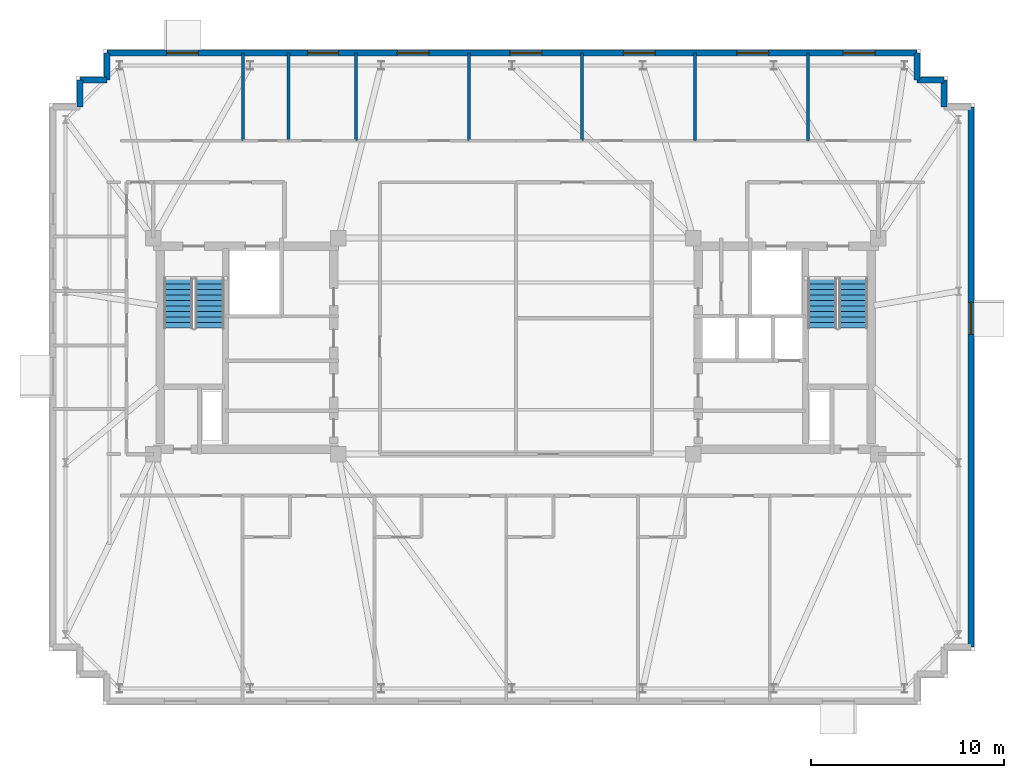
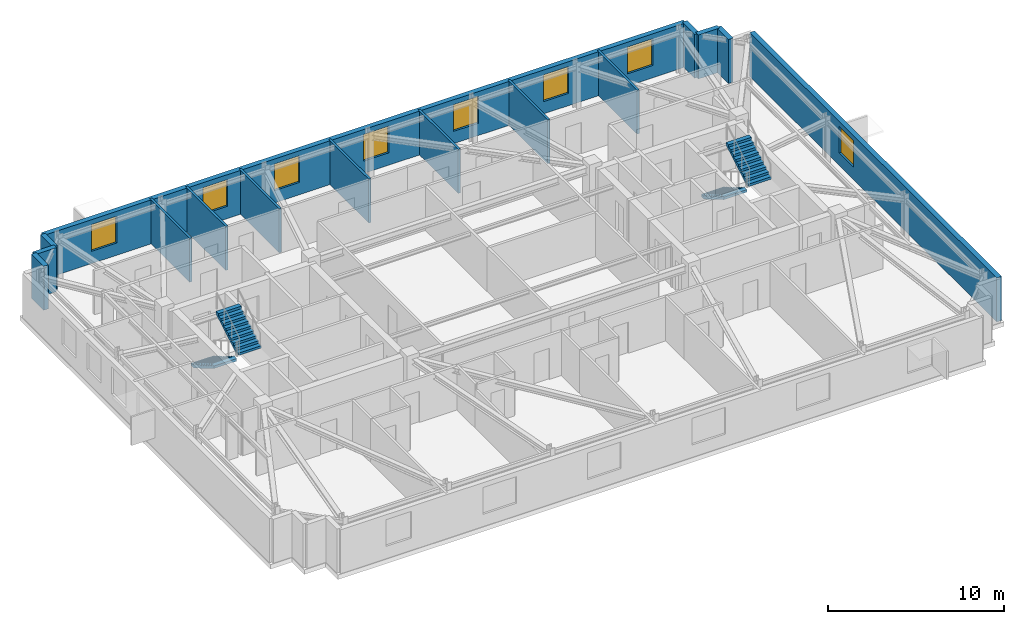
# One storey, part 9 of 11: 15 walls, 8 windows, 4 stair flights, 8 openings, 2 elements without a shape of their own.
"""IFC4 building model written with IfcOpenShell, lengths in metres."""

from ifc_helpers import new_model, si_unit, direction, frame, frame_2d, origin, place, context, subcontext, project, spatial, polyline, rectangle, outline, extrude, material, layer, layer_set, type_object, element, fill, aggregate, save


model = new_model("IFC4")

# Units and contexts
model_context = context("Model", 3, precision=1e-05, world=origin(), true_north=direction((0.0, 1.0)))
body_context = subcontext(model_context, "Body", "Model", "MODEL_VIEW")
ifc_project = project(units=[si_unit("LENGTHUNIT", "METRE"), si_unit("AREAUNIT", "SQUARE_METRE"), si_unit("VOLUMEUNIT", "CUBIC_METRE"), si_unit("PLANEANGLEUNIT", "RADIAN"), si_unit("MASSUNIT", "GRAM", prefix="KILO")], contexts=[model_context])

# Site, building, storey
site_placement = place(None, origin())
site = spatial("IfcSite", under=ifc_project, at=site_placement, CompositionType="ELEMENT")
building_placement = place(site_placement, origin())
building = spatial("IfcBuilding", under=site, at=building_placement, Name="Qobustan Lattice House", CompositionType="ELEMENT")
storey_placement = place(building_placement, frame((0.0, 0.0, 245.050048828125)))
storey = spatial("IfcBuildingStorey", under=building, at=storey_placement, Name="L69", CompositionType="ELEMENT", Elevation=245.050048828125)

# Walls
ifc_material_1 = material(Name="Precast concrete C40/50", Category="concrete")
ifc_layer_1 = layer(ifc_material_1, 0.320068359375)
ifc_layer_set_1 = layer_set([ifc_layer_1], Name="Precast concrete C40/50")
wall_type_1 = type_object("IfcWallType", Name="WAL-EXT-STONE-320", PredefinedType="SOLIDWALL", material=ifc_layer_set_1)
for number, where, z_axis, x_axis, name in (
    (1, (-22.60009765625, 12.39990234375, 0.0), (0.0, 0.0, 1.0), (0.0, 1.0, 0.0), "L69 exterior limestone-clad wall 7"),
    (2, (-22.60009765625, 13.800048828125, 0.0), (0.0, 0.0, 1.0), (1.0, 0.0, 0.0), "L69 exterior limestone-clad wall 8"),
):
    element("IfcWall", number, at=place(storey_placement, frame(where, z_axis=z_axis, x_axis=x_axis)), inside=storey, type_object=wall_type_1, Name=name, PredefinedType="SOLIDWALL", context=body_context, shape_type="SweptSolid", body=[
        extrude(rectangle(XDim=1.400146484375, YDim=0.320068359375, at=frame_2d((0.7001953125, 0.0))), origin(), (0.0, 0.0, 1.0), 3.0400390625),
    ])
wall_1_placement = place(storey_placement, frame((-21.199951171875, 13.800048828125, 0.0), z_axis=(0.0, 0.0, 1.0), x_axis=(0.0, 1.0, 0.0)))
element("IfcWall", 3, at=wall_1_placement, inside=storey, type_object=wall_type_1, Name="L69 exterior limestone-clad wall 9", PredefinedType="SOLIDWALL", context=body_context, shape_type="SweptSolid", body=[
    extrude(rectangle(XDim=1.39990234375, YDim=0.320068359375, at=frame_2d((0.699951171875, 0.0))), origin(), (0.0, 0.0, 1.0), 3.0400390625),
])

# Wall, openings, windows
wall_2_placement = place(storey_placement, frame((-21.199951171875, 15.199951171875, 0.0), z_axis=(0.0, 0.0, 1.0), x_axis=(1.0, 0.0, 0.0)))
wall_2 = element("IfcWall", 4, at=wall_2_placement, inside=storey, type_object=wall_type_1, Name="L69 exterior limestone-clad wall 10", PredefinedType="SOLIDWALL", context=body_context, shape_type="SweptSolid", body=[
    extrude(rectangle(XDim=42.0, YDim=0.320068359375, at=frame_2d((21.0, 0.0))), origin(), (0.0, 0.0, 1.0), 3.0400390625),
])
opening_1_placement = place(wall_2_placement, frame((3.094970703125, 0.0, 0.85009765625)))
opening_1 = element("IfcOpeningElement", 5, at=opening_1_placement, cuts=wall_2, Name="Opening WN-09", PredefinedType="OPENING", context=body_context, shape_type="SweptSolid", body=[
    extrude(rectangle(XDim=1.64990234375, YDim=1.85009765625, at=frame_2d((0.824951171875, 0.925048828125))), frame((0.0, 0.169921875, 0.0), z_axis=(0.0, -1.0, 0.0), x_axis=(1.0, 0.0, 0.0)), (0.0, 0.0, 1.0), 0.340087890625),
])
opening_2_placement = place(wall_2_placement, frame((10.39990234375, 0.0, 0.85009765625)))
opening_2 = element("IfcOpeningElement", 6, at=opening_2_placement, cuts=wall_2, Name="Opening WN-13", PredefinedType="OPENING", context=body_context, shape_type="SweptSolid", body=[
    extrude(rectangle(XDim=1.60009765625, YDim=1.85009765625, at=frame_2d((0.800048828125, 0.925048828125))), frame((0.0, 0.169921875, 0.0), z_axis=(0.0, -1.0, 0.0), x_axis=(1.0, 0.0, 0.0)), (0.0, 0.0, 1.0), 0.340087890625),
])
opening_3_placement = place(wall_2_placement, frame((15.054931640625, 0.0, 0.85009765625)))
opening_3 = element("IfcOpeningElement", 7, at=opening_3_placement, cuts=wall_2, Name="Opening WN-09", PredefinedType="OPENING", context=body_context, shape_type="SweptSolid", body=[
    extrude(rectangle(XDim=1.64990234375, YDim=1.85009765625, at=frame_2d((0.824951171875, 0.925048828125))), frame((0.0, 0.169921875, 0.0), z_axis=(0.0, -1.0, 0.0), x_axis=(1.0, 0.0, 0.0)), (0.0, 0.0, 1.0), 0.340087890625),
])
opening_4_placement = place(wall_2_placement, frame((20.89501953125, 0.0, 0.85009765625)))
opening_4 = element("IfcOpeningElement", 8, at=opening_4_placement, cuts=wall_2, Name="Opening WN-09", PredefinedType="OPENING", context=body_context, shape_type="SweptSolid", body=[
    extrude(rectangle(XDim=1.64990234375, YDim=1.85009765625, at=frame_2d((0.824951171875, 0.925048828125))), frame((0.0, 0.169921875, 0.0), z_axis=(0.0, -1.0, 0.0), x_axis=(1.0, 0.0, 0.0)), (0.0, 0.0, 1.0), 0.340087890625),
])
opening_5_placement = place(wall_2_placement, frame((26.77490234375, 0.0, 0.85009765625)))
opening_5 = element("IfcOpeningElement", 9, at=opening_5_placement, cuts=wall_2, Name="Opening WN-09", PredefinedType="OPENING", context=body_context, shape_type="SweptSolid", body=[
    extrude(rectangle(XDim=1.64990234375, YDim=1.85009765625, at=frame_2d((0.824951171875, 0.925048828125))), frame((0.0, 0.169921875, 0.0), z_axis=(0.0, -1.0, 0.0), x_axis=(1.0, 0.0, 0.0)), (0.0, 0.0, 1.0), 0.340087890625),
])
opening_6_placement = place(wall_2_placement, frame((32.655029296875, 0.0, 0.85009765625)))
opening_6 = element("IfcOpeningElement", 10, at=opening_6_placement, cuts=wall_2, Name="Opening WN-09", PredefinedType="OPENING", context=body_context, shape_type="SweptSolid", body=[
    extrude(rectangle(XDim=1.64990234375, YDim=1.85009765625, at=frame_2d((0.824951171875, 0.925048828125))), frame((0.0, 0.169921875, 0.0), z_axis=(0.0, -1.0, 0.0), x_axis=(1.0, 0.0, 0.0)), (0.0, 0.0, 1.0), 0.340087890625),
])
opening_7_placement = place(wall_2_placement, frame((38.175048828125, 0.0, 0.85009765625)))
opening_7 = element("IfcOpeningElement", 11, at=opening_7_placement, cuts=wall_2, Name="Opening WN-09", PredefinedType="OPENING", context=body_context, shape_type="SweptSolid", body=[
    extrude(rectangle(XDim=1.64990234375, YDim=1.85009765625, at=frame_2d((0.824951171875, 0.925048828125))), frame((0.0, 0.169921875, 0.0), z_axis=(0.0, -1.0, 0.0), x_axis=(1.0, 0.0, 0.0)), (0.0, 0.0, 1.0), 0.340087890625),
])
ifc_material_2 = material(Name="Double-glazed low-E aluminium window", Category="aluminium")
window_type_1 = type_object("IfcWindowType", Name="WIN-BED-1600x1850", PartitioningType="SINGLE_PANEL", PredefinedType="WINDOW", material=ifc_material_2)
window_1_placement = place(opening_2_placement, origin())
window_1 = element("IfcWindow", 12, at=window_1_placement, inside=storey, type_object=window_type_1, Name="L69 Laundry utility room window", OverallHeight=1.85009765625, OverallWidth=1.60009765625, PartitioningType="SINGLE_PANEL", PredefinedType="WINDOW", context=body_context, shape_type="SweptSolid", body=[
    extrude(rectangle(XDim=1.60009765625, YDim=1.85009765625, at=frame_2d((0.800048828125, 0.925048828125))), frame((0.0, 0.030029296875, 0.0), z_axis=(0.0, -1.0, 0.0), x_axis=(1.0, 0.0, 0.0)), (0.0, 0.0, 1.0), 0.06005859375),
])
fill(opening_2, window_1)
ifc_material_3 = material(Name="Double-glazed low-E aluminium window", Category="aluminium")
window_type_2 = type_object("IfcWindowType", Name="WIN-STU-1650x1850", PartitioningType="SINGLE_PANEL", PredefinedType="WINDOW", material=ifc_material_3)
window_2_placement = place(opening_1_placement, origin())
window_2 = element("IfcWindow", 13, at=window_2_placement, inside=storey, type_object=window_type_2, Name="L69 Focus study room N1 window", OverallHeight=1.85009765625, OverallWidth=1.64990234375, PartitioningType="SINGLE_PANEL", PredefinedType="WINDOW", context=body_context, shape_type="SweptSolid", body=[
    extrude(rectangle(XDim=1.64990234375, YDim=1.85009765625, at=frame_2d((0.824951171875, 0.925048828125))), frame((0.0, 0.030029296875, 0.0), z_axis=(0.0, -1.0, 0.0), x_axis=(1.0, 0.0, 0.0)), (0.0, 0.0, 1.0), 0.06005859375),
])
fill(opening_1, window_2)
window_3_placement = place(opening_3_placement, origin())
window_3 = element("IfcWindow", 14, at=window_3_placement, inside=storey, type_object=window_type_2, Name="L69 Focus study room N3 window", OverallHeight=1.85009765625, OverallWidth=1.64990234375, PartitioningType="SINGLE_PANEL", PredefinedType="WINDOW", context=body_context, shape_type="SweptSolid", body=[
    extrude(rectangle(XDim=1.64990234375, YDim=1.85009765625, at=frame_2d((0.824951171875, 0.925048828125))), frame((0.0, 0.030029296875, 0.0), z_axis=(0.0, -1.0, 0.0), x_axis=(1.0, 0.0, 0.0)), (0.0, 0.0, 1.0), 0.06005859375),
])
fill(opening_3, window_3)
window_4_placement = place(opening_4_placement, origin())
window_4 = element("IfcWindow", 15, at=window_4_placement, inside=storey, type_object=window_type_2, Name="L69 Focus study room N4 window", OverallHeight=1.85009765625, OverallWidth=1.64990234375, PartitioningType="SINGLE_PANEL", PredefinedType="WINDOW", context=body_context, shape_type="SweptSolid", body=[
    extrude(rectangle(XDim=1.64990234375, YDim=1.85009765625, at=frame_2d((0.824951171875, 0.925048828125))), frame((0.0, 0.030029296875, 0.0), z_axis=(0.0, -1.0, 0.0), x_axis=(1.0, 0.0, 0.0)), (0.0, 0.0, 1.0), 0.06005859375),
])
fill(opening_4, window_4)
window_5_placement = place(opening_5_placement, origin())
window_5 = element("IfcWindow", 16, at=window_5_placement, inside=storey, type_object=window_type_2, Name="L69 Focus study room N5 window", OverallHeight=1.85009765625, OverallWidth=1.64990234375, PartitioningType="SINGLE_PANEL", PredefinedType="WINDOW", context=body_context, shape_type="SweptSolid", body=[
    extrude(rectangle(XDim=1.64990234375, YDim=1.85009765625, at=frame_2d((0.824951171875, 0.925048828125))), frame((0.0, 0.030029296875, 0.0), z_axis=(0.0, -1.0, 0.0), x_axis=(1.0, 0.0, 0.0)), (0.0, 0.0, 1.0), 0.06005859375),
])
fill(opening_5, window_5)
window_6_placement = place(opening_6_placement, origin())
window_6 = element("IfcWindow", 17, at=window_6_placement, inside=storey, type_object=window_type_2, Name="L69 Focus study room N6 window", OverallHeight=1.85009765625, OverallWidth=1.64990234375, PartitioningType="SINGLE_PANEL", PredefinedType="WINDOW", context=body_context, shape_type="SweptSolid", body=[
    extrude(rectangle(XDim=1.64990234375, YDim=1.85009765625, at=frame_2d((0.824951171875, 0.925048828125))), frame((0.0, 0.030029296875, 0.0), z_axis=(0.0, -1.0, 0.0), x_axis=(1.0, 0.0, 0.0)), (0.0, 0.0, 1.0), 0.06005859375),
])
fill(opening_6, window_6)
window_7_placement = place(opening_7_placement, origin())
window_7 = element("IfcWindow", 18, at=window_7_placement, inside=storey, type_object=window_type_2, Name="L69 Focus study room N7 window", OverallHeight=1.85009765625, OverallWidth=1.64990234375, PartitioningType="SINGLE_PANEL", PredefinedType="WINDOW", context=body_context, shape_type="SweptSolid", body=[
    extrude(rectangle(XDim=1.64990234375, YDim=1.85009765625, at=frame_2d((0.824951171875, 0.925048828125))), frame((0.0, 0.030029296875, 0.0), z_axis=(0.0, -1.0, 0.0), x_axis=(1.0, 0.0, 0.0)), (0.0, 0.0, 1.0), 0.06005859375),
])
fill(opening_7, window_7)

# Walls
for number, where, z_axis, x_axis, name in (
    (19, (20.800048828125, 15.199951171875, 0.0), (0.0, 0.0, 1.0), (0.0, -1.0, 0.0), "L69 exterior limestone-clad wall 11"),
    (20, (20.800048828125, 13.800048828125, 0.0), (0.0, 0.0, 1.0), (1.0, 0.0, 0.0), "L69 exterior limestone-clad wall 12"),
):
    element("IfcWall", number, at=place(storey_placement, frame(where, z_axis=z_axis, x_axis=x_axis)), inside=storey, type_object=wall_type_1, Name=name, PredefinedType="SOLIDWALL", context=body_context, shape_type="SweptSolid", body=[
        extrude(rectangle(XDim=1.39990234375, YDim=0.320068359375, at=frame_2d((0.699951171875, 0.0))), origin(), (0.0, 0.0, 1.0), 3.0400390625),
    ])
wall_3_placement = place(storey_placement, frame((22.199951171875, 13.800048828125, 0.0), z_axis=(0.0, 0.0, 1.0), x_axis=(0.0, -1.0, 0.0)))
element("IfcWall", 21, at=wall_3_placement, inside=storey, type_object=wall_type_1, Name="L69 exterior limestone-clad wall 13", PredefinedType="SOLIDWALL", context=body_context, shape_type="SweptSolid", body=[
    extrude(rectangle(XDim=1.400146484375, YDim=0.320068359375, at=frame_2d((0.7001953125, 0.0))), origin(), (0.0, 0.0, 1.0), 3.0400390625),
])

# Wall, opening, window
wall_4_placement = place(storey_placement, frame((23.60009765625, 12.39990234375, 0.0), z_axis=(0.0, 0.0, 1.0), x_axis=(0.0, -1.0, 0.0)))
wall_4 = element("IfcWall", 22, at=wall_4_placement, inside=storey, type_object=wall_type_1, Name="L69 exterior limestone-clad wall 15", PredefinedType="SOLIDWALL", context=body_context, shape_type="SweptSolid", body=[
    extrude(rectangle(XDim=28.0, YDim=0.320068359375, at=frame_2d((14.0, 0.0))), origin(), (0.0, 0.0, 1.0), 3.0400390625),
])
opening_8_placement = place(wall_4_placement, frame((10.135009765625, 0.0, 0.85009765625)))
opening_8 = element("IfcOpeningElement", 23, at=opening_8_placement, cuts=wall_4, Name="Opening WN-09", PredefinedType="OPENING", context=body_context, shape_type="SweptSolid", body=[
    extrude(rectangle(XDim=1.64990234375, YDim=1.85009765625, at=frame_2d((0.824951171875, 0.925048828125))), frame((0.0, 0.169921875, 0.0), z_axis=(0.0, -1.0, 0.0), x_axis=(1.0, 0.0, 0.0)), (0.0, 0.0, 1.0), 0.340087890625),
])
window_8_placement = place(opening_8_placement, origin())
window_8 = element("IfcWindow", 24, at=window_8_placement, inside=storey, type_object=window_type_2, Name="L69 Communal study lounge window", OverallHeight=1.85009765625, OverallWidth=1.64990234375, PartitioningType="SINGLE_PANEL", PredefinedType="WINDOW", context=body_context, shape_type="SweptSolid", body=[
    extrude(rectangle(XDim=1.64990234375, YDim=1.85009765625, at=frame_2d((0.824951171875, 0.925048828125))), frame((0.0, 0.030029296875, 0.0), z_axis=(0.0, -1.0, 0.0), x_axis=(1.0, 0.0, 0.0)), (0.0, 0.0, 1.0), 0.06005859375),
])
fill(opening_8, window_8)

# Walls
ifc_material_4 = material(Name="Acoustic twin-stud gypsum partition", Category="gypsum")
ifc_layer_2 = layer(ifc_material_4, 0.14990234375)
ifc_layer_set_2 = layer_set([ifc_layer_2], Name="Acoustic twin-stud gypsum partition")
wall_type_2 = type_object("IfcWallType", Name="WAL-PART-150", PredefinedType="PARTITIONING", material=ifc_layer_set_2)
for number, where, z_axis, x_axis, name in (
    (25, (-8.285888671875, 15.199951171875, 0.0), (0.0, 0.0, 1.0), (0.0, -1.0, 0.0), "L69 interior partition 74"),
    (26, (-2.428955078125, 15.199951171875, 0.0), (0.0, 0.0, 1.0), (0.0, -1.0, 0.0), "L69 interior partition 75"),
    (27, (3.428955078125, 15.199951171875, 0.0), (0.0, 0.0, 1.0), (0.0, -1.0, 0.0), "L69 interior partition 76"),
    (28, (9.285888671875, 15.199951171875, 0.0), (0.0, 0.0, 1.0), (0.0, -1.0, 0.0), "L69 interior partition 77"),
    (29, (15.14306640625, 15.199951171875, 0.0), (0.0, 0.0, 1.0), (0.0, -1.0, 0.0), "L69 interior partition 78"),
):
    element("IfcWall", number, at=place(storey_placement, frame(where, z_axis=z_axis, x_axis=x_axis)), inside=storey, type_object=wall_type_2, Name=name, PredefinedType="PARTITIONING", context=body_context, shape_type="SweptSolid", body=[
        extrude(rectangle(XDim=4.550048828125, YDim=0.14990234375, at=frame_2d((2.27490234375, 0.0))), origin(), (0.0, 0.0, 1.0), 3.0400390625),
    ])
ifc_material_5 = material(Name="Moisture-resistant acoustic plumbing wall", Category="gypsum")
ifc_layer_3 = layer(ifc_material_5, 0.14990234375)
ifc_layer_set_3 = layer_set([ifc_layer_3], Name="Moisture-resistant acoustic plumbing wall")
wall_type_3 = type_object("IfcWallType", Name="WAL-WET-150", PredefinedType="PLUMBINGWALL", material=ifc_layer_set_3)
for number, where, z_axis, x_axis, name in (
    (30, (-14.14306640625, 15.199951171875, 0.0), (0.0, 0.0, 1.0), (0.0, -1.0, 0.0), "L69 interior partition 72"),
    (31, (-11.79296875, 15.199951171875, 0.0), (0.0, 0.0, 1.0), (0.0, -1.0, 0.0), "L69 interior partition 73"),
):
    element("IfcWall", number, at=place(storey_placement, frame(where, z_axis=z_axis, x_axis=x_axis)), inside=storey, type_object=wall_type_3, Name=name, PredefinedType="PLUMBINGWALL", context=body_context, shape_type="SweptSolid", body=[
        extrude(rectangle(XDim=4.550048828125, YDim=0.14990234375, at=frame_2d((2.27490234375, 0.0))), origin(), (0.0, 0.0, 1.0), 3.0400390625),
    ])

# Stair, stair flights
ifc_material_6 = material(Name="Concrete C40/50", Category="concrete")
stair_type = type_object("IfcStairType", Name="STR-CORE-DOGLEG", PredefinedType="HALF_TURN_STAIR", material=ifc_material_6)
stair_1_placement = place(storey_placement, origin())
stair_1 = element("IfcStair", 32, at=stair_1_placement, inside=storey, type_object=stair_type, Name="L69 West protected exit stair ST-W1", PredefinedType="HALF_TURN_STAIR")
ifc_material_7 = material(Name="Concrete C40/50", Category="concrete")
stair_flight_type = type_object("IfcStairFlightType", Name="SFL-RC-1500", PredefinedType="STRAIGHT", material=ifc_material_7)
stair_flight_1_placement = place(storey_placement, frame((-17.5, 3.5, 0.0), z_axis=(0.0, 0.0, 1.0), x_axis=(0.0, -1.0, 0.0)))
stair_flight_1 = element("IfcStairFlight", 33, at=stair_flight_1_placement, type_object=stair_flight_type, Name="ST-W1 flight 1", NumberOfRisers=10, NumberOfTreads=9, PredefinedType="STRAIGHT", RiserHeight=0.1675, TreadLength=0.285, context=body_context, shape_type="SweptSolid", body=[
    extrude(outline(polyline([(0.0, 0.0), (0.0, 0.16748046875), (0.284912109375, 0.16748046875), (0.284912109375, 0.3349609375), (0.570068359375, 0.3349609375), (0.570068359375, 0.50244140625), (0.85498046875, 0.50244140625), (0.85498046875, 0.669921875), (1.139892578125, 0.669921875), (1.139892578125, 0.83740234375), (1.425048828125, 0.83740234375), (1.425048828125, 1.0048828125), (1.7099609375, 1.0048828125), (1.7099609375, 1.172607421875), (1.9951171875, 1.172607421875), (1.9951171875, 1.340087890625), (2.280029296875, 1.340087890625), (2.280029296875, 1.507568359375), (2.56494140625, 1.507568359375), (2.56494140625, 1.675048828125), (2.56494140625, 1.333740234375), (0.2958984375, 0.0), (0.0, 0.0)])), frame((0.0, 0.75, 0.0), z_axis=(0.0, -1.0, 0.0), x_axis=(1.0, 0.0, 0.0)), (0.0, 0.0, 1.0), 1.5),
])
stair_flight_2_placement = place(storey_placement, frame((-15.8798828125, 0.93505859375, 1.675048828125), z_axis=(0.0, 0.0, 1.0), x_axis=(0.0, 1.0, 0.0)))
stair_flight_2 = element("IfcStairFlight", 34, at=stair_flight_2_placement, type_object=stair_flight_type, Name="ST-W1 flight 2", NumberOfRisers=10, NumberOfTreads=9, PredefinedType="STRAIGHT", RiserHeight=0.1675, TreadLength=0.285, context=body_context, shape_type="SweptSolid", body=[
    extrude(outline(polyline([(0.0, 0.0), (0.0, 0.16748046875), (0.284912109375, 0.16748046875), (0.284912109375, 0.3349609375), (0.570068359375, 0.3349609375), (0.570068359375, 0.50244140625), (0.85498046875, 0.50244140625), (0.85498046875, 0.669921875), (1.139892578125, 0.669921875), (1.139892578125, 0.83740234375), (1.425048828125, 0.83740234375), (1.425048828125, 1.0048828125), (1.7099609375, 1.0048828125), (1.7099609375, 1.172607421875), (1.9951171875, 1.172607421875), (1.9951171875, 1.340087890625), (2.280029296875, 1.340087890625), (2.280029296875, 1.507568359375), (2.56494140625, 1.507568359375), (2.56494140625, 1.675048828125), (2.56494140625, 1.333740234375), (0.2958984375, 0.0), (0.0, 0.0)])), frame((0.0, 0.75, 0.0), z_axis=(0.0, -1.0, 0.0), x_axis=(1.0, 0.0, 0.0)), (0.0, 0.0, 1.0), 1.5),
])
aggregate(stair_1, [stair_flight_1, stair_flight_2])

stair_2_placement = place(storey_placement, origin())
stair_2 = element("IfcStair", 35, at=stair_2_placement, inside=storey, type_object=stair_type, Name="L69 East protected exit stair ST-E1", PredefinedType="HALF_TURN_STAIR")
stair_flight_3_placement = place(storey_placement, frame((15.8798828125, 3.5, 0.0), z_axis=(0.0, 0.0, 1.0), x_axis=(0.0, -1.0, 0.0)))
stair_flight_3 = element("IfcStairFlight", 36, at=stair_flight_3_placement, type_object=stair_flight_type, Name="ST-E1 flight 1", NumberOfRisers=10, NumberOfTreads=9, PredefinedType="STRAIGHT", RiserHeight=0.1675, TreadLength=0.285, context=body_context, shape_type="SweptSolid", body=[
    extrude(outline(polyline([(0.0, 0.0), (0.0, 0.16748046875), (0.284912109375, 0.16748046875), (0.284912109375, 0.3349609375), (0.570068359375, 0.3349609375), (0.570068359375, 0.50244140625), (0.85498046875, 0.50244140625), (0.85498046875, 0.669921875), (1.139892578125, 0.669921875), (1.139892578125, 0.83740234375), (1.425048828125, 0.83740234375), (1.425048828125, 1.0048828125), (1.7099609375, 1.0048828125), (1.7099609375, 1.172607421875), (1.9951171875, 1.172607421875), (1.9951171875, 1.340087890625), (2.280029296875, 1.340087890625), (2.280029296875, 1.507568359375), (2.56494140625, 1.507568359375), (2.56494140625, 1.675048828125), (2.56494140625, 1.333740234375), (0.2958984375, 0.0), (0.0, 0.0)])), frame((0.0, 0.75, 0.0), z_axis=(0.0, -1.0, 0.0), x_axis=(1.0, 0.0, 0.0)), (0.0, 0.0, 1.0), 1.5),
])
stair_flight_4_placement = place(storey_placement, frame((17.5, 0.93505859375, 1.675048828125), z_axis=(0.0, 0.0, 1.0), x_axis=(0.0, 1.0, 0.0)))
stair_flight_4 = element("IfcStairFlight", 37, at=stair_flight_4_placement, type_object=stair_flight_type, Name="ST-E1 flight 2", NumberOfRisers=10, NumberOfTreads=9, PredefinedType="STRAIGHT", RiserHeight=0.1675, TreadLength=0.285, context=body_context, shape_type="SweptSolid", body=[
    extrude(outline(polyline([(0.0, 0.0), (0.0, 0.16748046875), (0.284912109375, 0.16748046875), (0.284912109375, 0.3349609375), (0.570068359375, 0.3349609375), (0.570068359375, 0.50244140625), (0.85498046875, 0.50244140625), (0.85498046875, 0.669921875), (1.139892578125, 0.669921875), (1.139892578125, 0.83740234375), (1.425048828125, 0.83740234375), (1.425048828125, 1.0048828125), (1.7099609375, 1.0048828125), (1.7099609375, 1.172607421875), (1.9951171875, 1.172607421875), (1.9951171875, 1.340087890625), (2.280029296875, 1.340087890625), (2.280029296875, 1.507568359375), (2.56494140625, 1.507568359375), (2.56494140625, 1.675048828125), (2.56494140625, 1.333740234375), (0.2958984375, 0.0), (0.0, 0.0)])), frame((0.0, 0.75, 0.0), z_axis=(0.0, -1.0, 0.0), x_axis=(1.0, 0.0, 0.0)), (0.0, 0.0, 1.0), 1.5),
])
aggregate(stair_2, [stair_flight_3, stair_flight_4])

save(model, "model.ifc")
